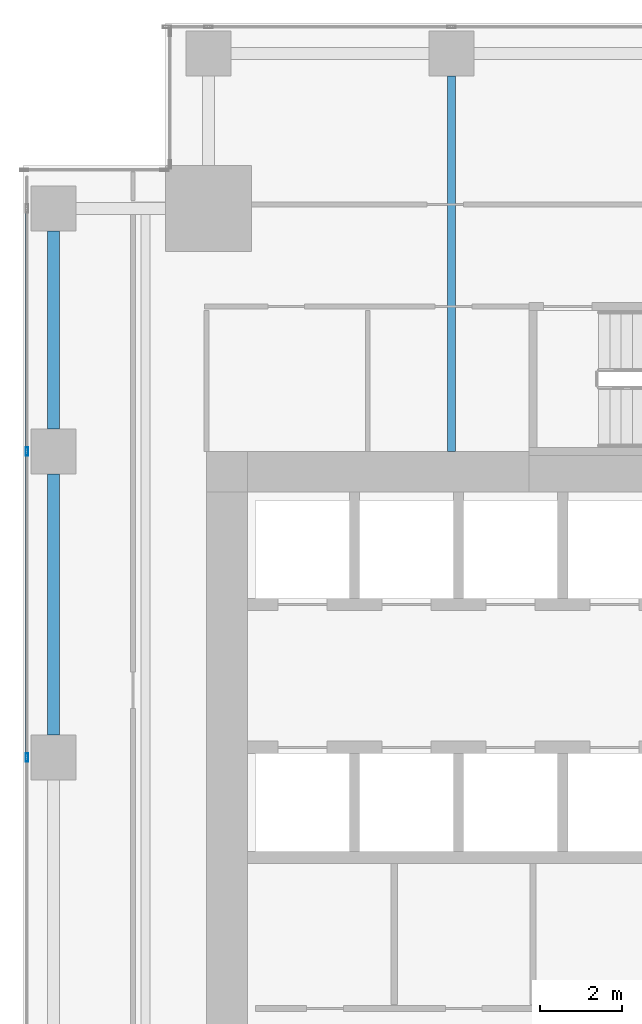
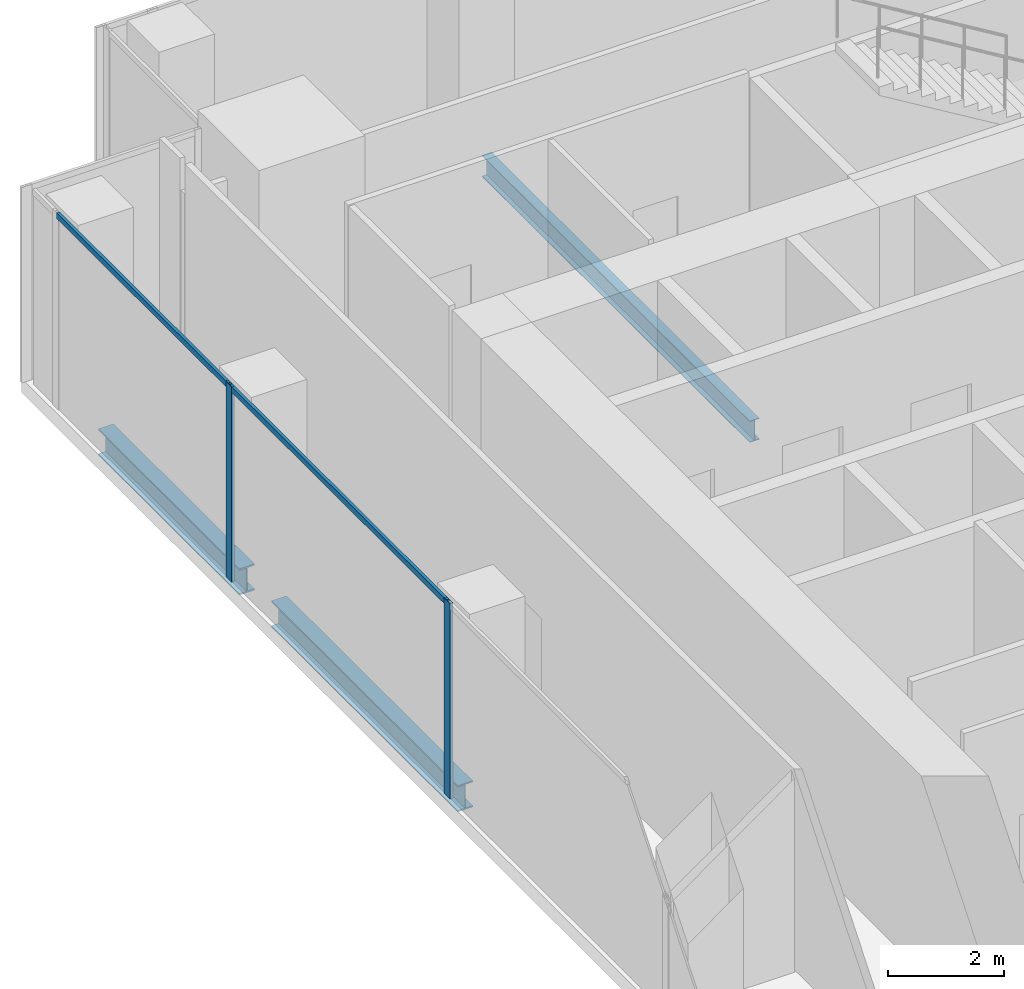
# One storey, part 14 of 35: 4 members, 3 beams, 1 element without a shape of its own.
"""IFC4 building model written with IfcOpenShell, lengths in metres."""

from ifc_helpers import new_model, si_unit, direction, frame, origin, origin_2d, place, context, subcontext, project, spatial, hollow_rectangle, i_section, extrude, source, transform, mapped, material, material_profile, profile_set, type_object, element, aggregate, save


model = new_model("IFC4")

# Units and contexts
model_context = context("Model", 3, precision=1e-05, world=origin(), true_north=direction((0.0, 1.0)))
body_context = subcontext(model_context, "Body", "Model", "MODEL_VIEW")
ifc_project = project(units=[si_unit("LENGTHUNIT", "METRE"), si_unit("AREAUNIT", "SQUARE_METRE"), si_unit("VOLUMEUNIT", "CUBIC_METRE"), si_unit("PLANEANGLEUNIT", "RADIAN"), si_unit("MASSUNIT", "GRAM", prefix="KILO")], contexts=[model_context])

# Site, building, storey
site_placement = place(None, origin())
site = spatial("IfcSite", under=ifc_project, at=site_placement, CompositionType="ELEMENT")
building_placement = place(site_placement, origin())
building = spatial("IfcBuilding", under=site, at=building_placement, Name="Khomas Fold Tower", CompositionType="ELEMENT")
storey_placement = place(building_placement, frame((0.0, 0.0, 119.10009765625)))
storey = spatial("IfcBuildingStorey", under=building, at=storey_placement, Name="L25", CompositionType="ELEMENT", Elevation=119.10009765625)

# Beams
ifc_material_1 = material(Name="Steel S355", Category="steel")
ifc_material_profile_1 = material_profile(ifc_material_1, i_section(OverallWidth=0.300048828125, OverallDepth=0.550048828125, WebThickness=0.014892578125, FlangeThickness=0.029052734375, at=origin_2d()), Name="HE 550 B")
ifc_profile_set_1 = profile_set([ifc_material_profile_1], Name="Steel S355")
beam_type_1 = type_object("IfcBeamType", Name="HE 550 B spandrel SB2", PredefinedType="SPANDREL", material=ifc_profile_set_1)
shared_shape_1 = source(origin(), body_context, "Body", "SweptSolid", [
    extrude(i_section(OverallWidth=0.300048828125, OverallDepth=0.550048828125, WebThickness=0.014892578125, FlangeThickness=0.029052734375, at=origin_2d()), origin(), (0.0, 0.0, 1.0), 4.849853515625),
])
beam_1_placement = place(storey_placement, frame((2.25, 42.550048828125, -0.5751953125), z_axis=(0.0, 1.0, 0.0), x_axis=(-1.0, 0.0, 0.0)))
element("IfcBeam", 1, at=beam_1_placement, inside=storey, type_object=beam_type_1, Name="SB2", PredefinedType="SPANDREL", context=body_context, shape_type="MappedRepresentation", body=[
    mapped(shared_shape_1, transform((0.0, 0.0, 0.0))),
])
shared_shape_2 = source(origin(), body_context, "Body", "SweptSolid", [
    extrude(i_section(OverallWidth=0.300048828125, OverallDepth=0.550048828125, WebThickness=0.014892578125, FlangeThickness=0.029052734375, at=origin_2d()), origin(), (0.0, 0.0, 1.0), 6.39990234375),
])
beam_2_placement = place(storey_placement, frame((2.25, 35.050048828125, -0.5751953125), z_axis=(0.0, 1.0, 0.0), x_axis=(-1.0, 0.0, 0.0)))
element("IfcBeam", 2, at=beam_2_placement, inside=storey, type_object=beam_type_1, Name="SB2", PredefinedType="SPANDREL", context=body_context, shape_type="MappedRepresentation", body=[
    mapped(shared_shape_2, transform((0.0, 0.0, 0.0))),
])
ifc_material_2 = material(Name="Steel S355", Category="steel")
ifc_material_profile_2 = material_profile(ifc_material_2, i_section(OverallWidth=0.18994140625, OverallDepth=0.449951171875, WebThickness=0.009521484375, FlangeThickness=0.0146484375, at=origin_2d()), Name="IPE 450")
ifc_profile_set_2 = profile_set([ifc_material_profile_2], Name="Steel S355")
beam_type_2 = type_object("IfcBeamType", Name="IPE 450 beam JB4", PredefinedType="BEAM", material=ifc_profile_set_2)
shared_shape_3 = source(origin(), body_context, "Body", "SweptSolid", [
    extrude(i_section(OverallWidth=0.18994140625, OverallDepth=0.449951171875, WebThickness=0.009521484375, FlangeThickness=0.0146484375, at=origin_2d()), origin(), (0.0, 0.0, 1.0), 9.199951171875),
])
beam_3_placement = place(storey_placement, frame((12.0, 42.0, -0.525146484375), z_axis=(0.0, 1.0, 0.0), x_axis=(-1.0, 0.0, 0.0)))
element("IfcBeam", 3, at=beam_3_placement, inside=storey, type_object=beam_type_2, Name="JB4", PredefinedType="BEAM", context=body_context, shape_type="MappedRepresentation", body=[
    mapped(shared_shape_3, transform((0.0, 0.0, 0.0))),
])

# Curtain wall, members
ifc_material_3 = material(Name="Aluminium framed double glazing", Category="aluminium")
curtain_wall_type = type_object("IfcCurtainWallType", Name="SK-Unitised clear-glass wall, growing floors CW1", PredefinedType="NOTDEFINED", material=ifc_material_3)
curtain_wall_placement = place(storey_placement, origin())
curtain_wall = element("IfcCurtainWall", 4, at=curtain_wall_placement, inside=storey, type_object=curtain_wall_type, Name="CW1 run L25 09-0", PredefinedType="NOTDEFINED")
ifc_material_4 = material(Name="Aluminium", Category="aluminium")
ifc_material_profile_3 = material_profile(ifc_material_4, hollow_rectangle(XDim=0.06005859375, YDim=0.1201171875, WallThickness=0.00390625, at=origin_2d()), Name="SK-Unitised clear-glass wall, growing floors transom CW1-T")
ifc_profile_set_3 = profile_set([ifc_material_profile_3], Name="Aluminium")
member_type_1 = type_object("IfcMemberType", Name="SK-Unitised clear-glass wall, growing floors transom CW1-T", PredefinedType="USERDEFINED", material=ifc_profile_set_3)
shared_shape_4 = source(origin(), body_context, "Body", "SweptSolid", [
    extrude(hollow_rectangle(XDim=0.06005859375, YDim=0.1201171875, WallThickness=0.00390625, at=origin_2d()), origin(), (0.0, 0.0, 1.0), 7.43994140625),
])
member_1_placement = place(storey_placement, frame((1.60009765625, 41.969970703125, 4.039794921875), z_axis=(0.0, -1.0, 0.0), x_axis=(1.0, 0.0, 0.0)))
member_1 = element("IfcMember", 5, at=member_1_placement, type_object=member_type_1, Name="CW1 transom 3", ObjectType="TRANSOM", PredefinedType="USERDEFINED", context=body_context, shape_type="MappedRepresentation", body=[
    mapped(shared_shape_4, transform((0.0, 0.0, 0.0))),
])
shared_shape_5 = source(origin(), body_context, "Body", "SweptSolid", [
    extrude(hollow_rectangle(XDim=0.06005859375, YDim=0.1201171875, WallThickness=0.00390625, at=origin_2d()), origin(), (0.0, 0.0, 1.0), 5.889892578125),
])
member_2_placement = place(storey_placement, frame((1.60009765625, 47.919921875, 4.039794921875), z_axis=(0.0, -1.0, 0.0), x_axis=(1.0, 0.0, 0.0)))
member_2 = element("IfcMember", 6, at=member_2_placement, type_object=member_type_1, Name="CW1 transom 2", ObjectType="TRANSOM", PredefinedType="USERDEFINED", context=body_context, shape_type="MappedRepresentation", body=[
    mapped(shared_shape_5, transform((0.0, 0.0, 0.0))),
])
ifc_material_5 = material(Name="Aluminium", Category="aluminium")
ifc_material_profile_4 = material_profile(ifc_material_5, hollow_rectangle(XDim=0.06005859375, YDim=0.199951171875, WallThickness=0.00390625, at=origin_2d()), Name="SK-Unitised clear-glass wall, growing floors mullion CW1-M")
ifc_profile_set_4 = profile_set([ifc_material_profile_4], Name="Aluminium")
member_type_2 = type_object("IfcMemberType", Name="SK-Unitised clear-glass wall, growing floors mullion CW1-M", PredefinedType="MULLION", material=ifc_profile_set_4)
shared_shape_6 = source(origin(), body_context, "Body", "SweptSolid", [
    extrude(hollow_rectangle(XDim=0.06005859375, YDim=0.199951171875, WallThickness=0.00390625, at=origin_2d()), origin(), (0.0, 0.0, 1.0), 4.099853515625),
])
member_3_placement = place(storey_placement, frame((1.60009765625, 42.0, 0.0), z_axis=(0.0, 0.0, 1.0), x_axis=(1.0, 0.0, 0.0)))
member_3 = element("IfcMember", 7, at=member_3_placement, type_object=member_type_2, Name="CW1 mullion 3", PredefinedType="MULLION", context=body_context, shape_type="MappedRepresentation", body=[
    mapped(shared_shape_6, transform((0.0, 0.0, 0.0))),
])
member_4_placement = place(storey_placement, frame((1.60009765625, 34.5, 0.0), z_axis=(0.0, 0.0, 1.0), x_axis=(1.0, 0.0, 0.0)))
member_4 = element("IfcMember", 8, at=member_4_placement, type_object=member_type_2, Name="CW1 mullion 4", PredefinedType="MULLION", context=body_context, shape_type="MappedRepresentation", body=[
    mapped(shared_shape_6, transform((0.0, 0.0, 0.0))),
])
aggregate(curtain_wall, [member_3, member_4, member_2, member_1])

save(model, "model.ifc")
